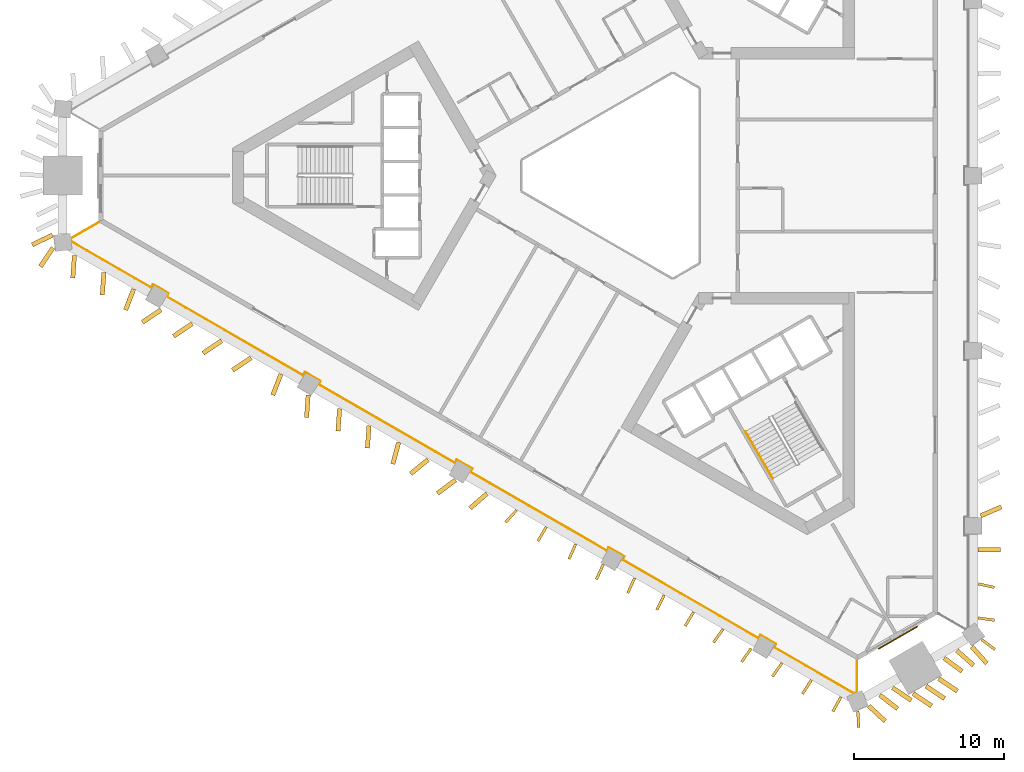
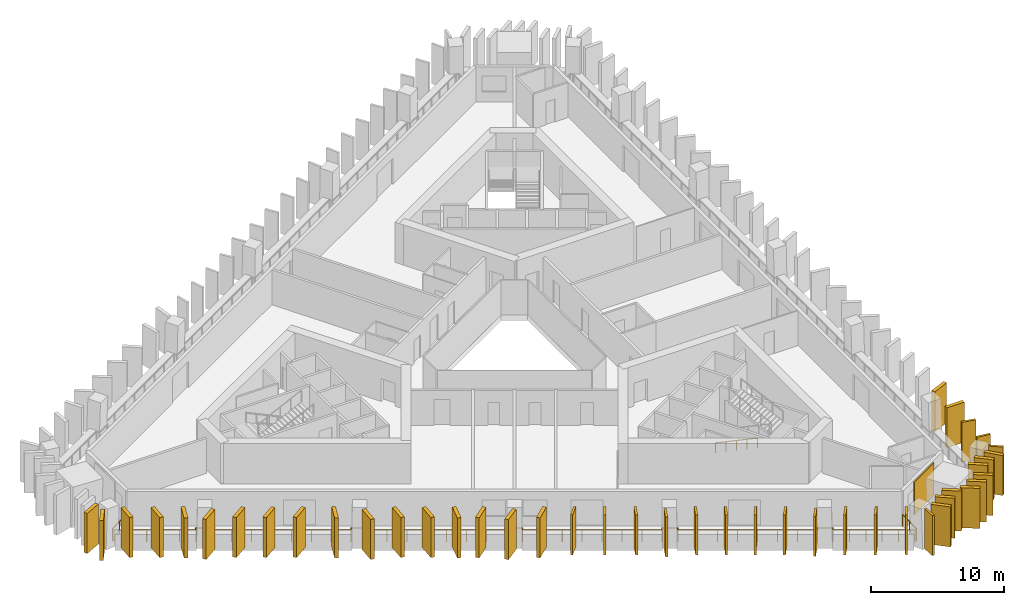
# One storey, part 8 of 11: 44 shading devices, 2 railings, 1 covering.
"""IFC4 building model written with IfcOpenShell, lengths in metres."""

from ifc_helpers import new_model, si_unit, direction, frame, frame_2d, origin, origin_2d, place, context, subcontext, project, spatial, rectangle, circle, extrude, material, layer, layer_set, type_object, element, save


model = new_model("IFC4")

# Units and contexts
model_context = context("Model", 3, precision=1e-05, world=origin(), true_north=direction((0.0, 1.0)))
body_context = subcontext(model_context, "Body", "Model", "MODEL_VIEW")
ifc_project = project(units=[si_unit("LENGTHUNIT", "METRE"), si_unit("AREAUNIT", "SQUARE_METRE"), si_unit("VOLUMEUNIT", "CUBIC_METRE"), si_unit("PLANEANGLEUNIT", "RADIAN"), si_unit("MASSUNIT", "GRAM", prefix="KILO")], contexts=[model_context])

# Site, building, storey
site_placement = place(None, origin())
site = spatial("IfcSite", under=ifc_project, at=site_placement, CompositionType="ELEMENT")
building_placement = place(site_placement, origin())
building = spatial("IfcBuilding", under=site, at=building_placement, Name="Jabali Bay Hotel Tower and Convention Centre", CompositionType="ELEMENT")
storey_placement = place(building_placement, frame((0.0, 0.0, 90.60009765625)))
storey = spatial("IfcBuildingStorey", under=building, at=storey_placement, Name="L21", CompositionType="ELEMENT", Elevation=90.60009765625)

# Railing
ifc_material_1 = material(Name="Glass", Category="glass")
railing_type_1 = type_object("IfcRailingType", Name="Loggia glass guard 1100", PredefinedType="BALUSTRADE", material=ifc_material_1)
railing_1_placement = place(storey_placement, frame((90.0595703125, 47.6611328125, 0.0)))
element("IfcRailing", 1, at=railing_1_placement, inside=storey, type_object=railing_type_1, Name="Loggia glass guard L21", PredefinedType="BALUSTRADE", context=body_context, shape_type="SweptSolid", body=[
    extrude(circle(Radius=0.02490234375, at=origin_2d()), frame((0.0, 0.0, 1.0751953125), z_axis=(0.0, -1.0, 0.0), x_axis=(0.991444861374, 0.0, 0.13052619222)), (0.0, 0.0, 1.0), 2.11083984375),
    extrude(circle(Radius=0.02490234375, at=origin_2d()), frame((0.0, -2.11083984375, 1.0751953125), z_axis=(-0.918850672614, -0.394605424996, 0.0), x_axis=(0.391229520883, -0.910989777733, 0.13052619222)), (0.0, 0.0, 1.0), 0.214599609375),
    extrude(circle(Radius=0.02490234375, at=origin_2d()), frame((-0.197265625, -2.195556640625, 1.0751953125), z_axis=(-0.866019012934, 0.500011069114, 0.0), x_axis=(-0.495733405103, -0.858610100226, 0.13052619222)), (0.0, 0.0, 1.0), 6.150634765625),
    extrude(circle(Radius=0.02490234375, at=origin_2d()), frame((-5.52392578125, 0.8798828125, 1.0751953125), z_axis=(0.499919672301, 0.866071776036, 0.0), x_axis=(-0.858662411932, 0.495642790202, 0.13052619222)), (0.0, 0.0, 1.0), 0.25),
    extrude(circle(Radius=0.02490234375, at=origin_2d()), frame((-5.39892578125, 1.096435546875, 1.0751953125), z_axis=(-0.866094119867, 0.499880961361, 0.0), x_axis=(-0.49560441044, -0.858684564609, 0.13052619222)), (0.0, 0.0, 1.0), 1.199951171875),
    extrude(circle(Radius=0.02490234375, at=origin_2d()), frame((-6.438232421875, 1.6962890625, 1.0751953125), z_axis=(-0.499919672301, -0.866071776036, 0.0), x_axis=(0.858662411932, -0.495642790202, 0.13052619222)), (0.0, 0.0, 1.0), 0.25),
    extrude(circle(Radius=0.02490234375, at=origin_2d()), frame((-6.563232421875, 1.479736328125, 1.0751953125), z_axis=(-0.866018215049, 0.500012451049, 0.0), x_axis=(-0.495734775215, -0.858609309166, 0.13052619222)), (0.0, 0.0, 1.0), 10.493896484375),
    extrude(circle(Radius=0.02490234375, at=origin_2d()), frame((-15.651123046875, 6.726806640625, 1.0751953125), z_axis=(0.500342721131, 0.865827443207, 0.0), x_axis=(-0.858420169404, 0.496062219791, 0.13052619222)), (0.0, 0.0, 1.0), 0.249755859375),
    extrude(circle(Radius=0.02490234375, at=origin_2d()), frame((-15.526123046875, 6.943115234375, 1.0751953125), z_axis=(-0.866006032174, 0.500033551112, 0.0), x_axis=(-0.495755694765, -0.858597230518, 0.13052619222)), (0.0, 0.0, 1.0), 1.2001953125),
    extrude(circle(Radius=0.02490234375, at=origin_2d()), frame((-16.5654296875, 7.543212890625, 1.0751953125), z_axis=(-0.499919672301, -0.866071776036, 0.0), x_axis=(0.858662411932, -0.495642790202, 0.13052619222)), (0.0, 0.0, 1.0), 0.25),
    extrude(circle(Radius=0.02490234375, at=origin_2d()), frame((-16.6904296875, 7.32666015625, 1.0751953125), z_axis=(-0.86602828922, 0.499995002246, 0.0), x_axis=(-0.49571747569, -0.858619297151, 0.13052619222)), (0.0, 0.0, 1.0), 10.49365234375),
    extrude(circle(Radius=0.02490234375, at=origin_2d()), frame((-25.7783203125, 12.573486328125, 1.0751953125), z_axis=(0.499919672301, 0.866071776036, 0.0), x_axis=(-0.858662411932, 0.495642790202, 0.13052619222)), (0.0, 0.0, 1.0), 0.25),
    extrude(circle(Radius=0.02490234375, at=origin_2d()), frame((-25.6533203125, 12.7900390625, 1.0751953125), z_axis=(-0.865955154139, 0.50012165622, 0.0), x_axis=(-0.495843046121, -0.858546787751, 0.13052619222)), (0.0, 0.0, 1.0), 1.199951171875),
    extrude(circle(Radius=0.02490234375, at=origin_2d()), frame((-26.6923828125, 13.39013671875, 1.0751953125), z_axis=(-0.499919672301, -0.866071776036, 0.0), x_axis=(0.858662411932, -0.495642790202, 0.13052619222)), (0.0, 0.0, 1.0), 0.25),
    extrude(circle(Radius=0.02490234375, at=origin_2d()), frame((-26.8173828125, 13.173583984375, 1.0751953125), z_axis=(-0.86602828922, 0.499995002246, 0.0), x_axis=(-0.49571747569, -0.858619297151, 0.13052619222)), (0.0, 0.0, 1.0), 10.49365234375),
    extrude(circle(Radius=0.02490234375, at=origin_2d()), frame((-35.9052734375, 18.42041015625, 1.0751953125), z_axis=(0.499919672301, 0.866071776036, 0.0), x_axis=(-0.858662411932, 0.495642790202, 0.13052619222)), (0.0, 0.0, 1.0), 0.25),
    extrude(circle(Radius=0.02490234375, at=origin_2d()), frame((-35.7802734375, 18.636962890625, 1.0751953125), z_axis=(-0.866006032174, 0.500033551112, 0.0), x_axis=(-0.495755694765, -0.858597230518, 0.13052619222)), (0.0, 0.0, 1.0), 1.2001953125),
    extrude(circle(Radius=0.02490234375, at=origin_2d()), frame((-36.819580078125, 19.237060546875, 1.0751953125), z_axis=(-0.499919672301, -0.866071776036, 0.0), x_axis=(0.858662411932, -0.495642790202, 0.13052619222)), (0.0, 0.0, 1.0), 0.25),
    extrude(circle(Radius=0.02490234375, at=origin_2d()), frame((-36.944580078125, 19.0205078125, 1.0751953125), z_axis=(-0.86602828922, 0.499995002246, 0.0), x_axis=(-0.49571747569, -0.858619297151, 0.13052619222)), (0.0, 0.0, 1.0), 10.49365234375),
    extrude(circle(Radius=0.02490234375, at=origin_2d()), frame((-46.032470703125, 24.267333984375, 1.0751953125), z_axis=(0.499919672301, 0.866071776036, 0.0), x_axis=(-0.858662411932, 0.495642790202, 0.13052619222)), (0.0, 0.0, 1.0), 0.25),
    extrude(circle(Radius=0.02490234375, at=origin_2d()), frame((-45.907470703125, 24.48388671875, 1.0751953125), z_axis=(-0.866006032174, 0.500033551112, 0.0), x_axis=(-0.495755694765, -0.858597230518, 0.13052619222)), (0.0, 0.0, 1.0), 1.2001953125),
    extrude(circle(Radius=0.02490234375, at=origin_2d()), frame((-46.94677734375, 25.083984375, 1.0751953125), z_axis=(-0.499919672301, -0.866071776036, 0.0), x_axis=(0.858662411932, -0.495642790202, 0.13052619222)), (0.0, 0.0, 1.0), 0.25),
    extrude(circle(Radius=0.02490234375, at=origin_2d()), frame((-47.07177734375, 24.867431640625, 1.0751953125), z_axis=(-0.866019012934, 0.500011069114, 0.0), x_axis=(-0.495733405103, -0.858610100226, 0.13052619222)), (0.0, 0.0, 1.0), 6.150634765625),
    extrude(circle(Radius=0.02490234375, at=origin_2d()), frame((-52.3984375, 27.94287109375, 1.0751953125), z_axis=(-0.117171257249, 0.993111724065, 0.0), x_axis=(-0.984615515594, -0.116168840901, 0.13052619222)), (0.0, 0.0, 1.0), 0.214599609375),
    extrude(circle(Radius=0.02490234375, at=origin_2d()), frame((-52.423583984375, 28.156005859375, 1.0751953125), z_axis=(0.866006443985, 0.500032837899, 0.0), x_axis=(-0.495754987653, 0.858597638805, 0.13052619222)), (0.0, 0.0, 1.0), 2.110595703125),
    extrude(circle(Radius=0.02001953125, at=origin_2d()), origin(), (0.0, 0.0, 1.0), 1.050048828125),
    extrude(circle(Radius=0.02001953125, at=origin_2d()), frame((0.0, -1.055419921875, 0.0)), (0.0, 0.0, 1.0), 1.050048828125),
    extrude(circle(Radius=0.02001953125, at=origin_2d()), frame((0.0, -2.11083984375, 0.0)), (0.0, 0.0, 1.0), 1.050048828125),
    extrude(circle(Radius=0.02001953125, at=origin_2d()), frame((-0.197265625, -2.195556640625, 0.0)), (0.0, 0.0, 1.0), 1.050048828125),
    extrude(circle(Radius=0.02001953125, at=origin_2d()), frame((-1.2626953125, -1.58056640625, 0.0)), (0.0, 0.0, 1.0), 1.050048828125),
    extrude(circle(Radius=0.02001953125, at=origin_2d()), frame((-2.327880859375, -0.96533203125, 0.0)), (0.0, 0.0, 1.0), 1.050048828125),
    extrude(circle(Radius=0.02001953125, at=origin_2d()), frame((-3.393310546875, -0.350341796875, 0.0)), (0.0, 0.0, 1.0), 1.050048828125),
    extrude(circle(Radius=0.02001953125, at=origin_2d()), frame((-4.45849609375, 0.264892578125, 0.0)), (0.0, 0.0, 1.0), 1.050048828125),
    extrude(circle(Radius=0.02001953125, at=origin_2d()), frame((-5.52392578125, 0.8798828125, 0.0)), (0.0, 0.0, 1.0), 1.050048828125),
    extrude(circle(Radius=0.02001953125, at=origin_2d()), frame((-5.39892578125, 1.096435546875, 0.0)), (0.0, 0.0, 1.0), 1.050048828125),
    extrude(circle(Radius=0.02001953125, at=origin_2d()), frame((-6.438232421875, 1.6962890625, 0.0)), (0.0, 0.0, 1.0), 1.050048828125),
    extrude(circle(Radius=0.02001953125, at=origin_2d()), frame((-6.563232421875, 1.479736328125, 0.0)), (0.0, 0.0, 1.0), 1.050048828125),
    extrude(circle(Radius=0.02001953125, at=origin_2d()), frame((-7.861572265625, 2.229248046875, 0.0)), (0.0, 0.0, 1.0), 1.050048828125),
    extrude(circle(Radius=0.02001953125, at=origin_2d()), frame((-9.15966796875, 2.97900390625, 0.0)), (0.0, 0.0, 1.0), 1.050048828125),
    extrude(circle(Radius=0.02001953125, at=origin_2d()), frame((-10.4580078125, 3.728515625, 0.0)), (0.0, 0.0, 1.0), 1.050048828125),
    extrude(circle(Radius=0.02001953125, at=origin_2d()), frame((-11.75634765625, 4.47802734375, 0.0)), (0.0, 0.0, 1.0), 1.050048828125),
    extrude(circle(Radius=0.02001953125, at=origin_2d()), frame((-13.0546875, 5.2275390625, 0.0)), (0.0, 0.0, 1.0), 1.050048828125),
    extrude(circle(Radius=0.02001953125, at=origin_2d()), frame((-14.352783203125, 5.977294921875, 0.0)), (0.0, 0.0, 1.0), 1.050048828125),
    extrude(circle(Radius=0.02001953125, at=origin_2d()), frame((-15.651123046875, 6.726806640625, 0.0)), (0.0, 0.0, 1.0), 1.050048828125),
    extrude(circle(Radius=0.02001953125, at=origin_2d()), frame((-15.526123046875, 6.943115234375, 0.0)), (0.0, 0.0, 1.0), 1.050048828125),
    extrude(circle(Radius=0.02001953125, at=origin_2d()), frame((-16.5654296875, 7.543212890625, 0.0)), (0.0, 0.0, 1.0), 1.050048828125),
    extrude(circle(Radius=0.02001953125, at=origin_2d()), frame((-16.6904296875, 7.32666015625, 0.0)), (0.0, 0.0, 1.0), 1.050048828125),
    extrude(circle(Radius=0.02001953125, at=origin_2d()), frame((-17.98876953125, 8.076171875, 0.0)), (0.0, 0.0, 1.0), 1.050048828125),
    extrude(circle(Radius=0.02001953125, at=origin_2d()), frame((-19.286865234375, 8.82568359375, 0.0)), (0.0, 0.0, 1.0), 1.050048828125),
    extrude(circle(Radius=0.02001953125, at=origin_2d()), frame((-20.585205078125, 9.5751953125, 0.0)), (0.0, 0.0, 1.0), 1.050048828125),
    extrude(circle(Radius=0.02001953125, at=origin_2d()), frame((-21.883544921875, 10.324951171875, 0.0)), (0.0, 0.0, 1.0), 1.050048828125),
    extrude(circle(Radius=0.02001953125, at=origin_2d()), frame((-23.181884765625, 11.074462890625, 0.0)), (0.0, 0.0, 1.0), 1.050048828125),
    extrude(circle(Radius=0.02001953125, at=origin_2d()), frame((-24.47998046875, 11.823974609375, 0.0)), (0.0, 0.0, 1.0), 1.050048828125),
    extrude(circle(Radius=0.02001953125, at=origin_2d()), frame((-25.7783203125, 12.573486328125, 0.0)), (0.0, 0.0, 1.0), 1.050048828125),
    extrude(circle(Radius=0.02001953125, at=origin_2d()), frame((-25.6533203125, 12.7900390625, 0.0)), (0.0, 0.0, 1.0), 1.050048828125),
    extrude(circle(Radius=0.02001953125, at=origin_2d()), frame((-26.6923828125, 13.39013671875, 0.0)), (0.0, 0.0, 1.0), 1.050048828125),
    extrude(circle(Radius=0.02001953125, at=origin_2d()), frame((-26.8173828125, 13.173583984375, 0.0)), (0.0, 0.0, 1.0), 1.050048828125),
    extrude(circle(Radius=0.02001953125, at=origin_2d()), frame((-28.11572265625, 13.923095703125, 0.0)), (0.0, 0.0, 1.0), 1.050048828125),
    extrude(circle(Radius=0.02001953125, at=origin_2d()), frame((-29.413818359375, 14.672607421875, 0.0)), (0.0, 0.0, 1.0), 1.050048828125),
    extrude(circle(Radius=0.02001953125, at=origin_2d()), frame((-30.712158203125, 15.422119140625, 0.0)), (0.0, 0.0, 1.0), 1.050048828125),
    extrude(circle(Radius=0.02001953125, at=origin_2d()), frame((-32.010498046875, 16.171875, 0.0)), (0.0, 0.0, 1.0), 1.050048828125),
    extrude(circle(Radius=0.02001953125, at=origin_2d()), frame((-33.308837890625, 16.92138671875, 0.0)), (0.0, 0.0, 1.0), 1.050048828125),
    extrude(circle(Radius=0.02001953125, at=origin_2d()), frame((-34.60693359375, 17.6708984375, 0.0)), (0.0, 0.0, 1.0), 1.050048828125),
    extrude(circle(Radius=0.02001953125, at=origin_2d()), frame((-35.9052734375, 18.42041015625, 0.0)), (0.0, 0.0, 1.0), 1.050048828125),
    extrude(circle(Radius=0.02001953125, at=origin_2d()), frame((-35.7802734375, 18.636962890625, 0.0)), (0.0, 0.0, 1.0), 1.050048828125),
    extrude(circle(Radius=0.02001953125, at=origin_2d()), frame((-36.819580078125, 19.237060546875, 0.0)), (0.0, 0.0, 1.0), 1.050048828125),
    extrude(circle(Radius=0.02001953125, at=origin_2d()), frame((-36.944580078125, 19.0205078125, 0.0)), (0.0, 0.0, 1.0), 1.050048828125),
    extrude(circle(Radius=0.02001953125, at=origin_2d()), frame((-38.242919921875, 19.77001953125, 0.0)), (0.0, 0.0, 1.0), 1.050048828125),
    extrude(circle(Radius=0.02001953125, at=origin_2d()), frame((-39.541015625, 20.51953125, 0.0)), (0.0, 0.0, 1.0), 1.050048828125),
    extrude(circle(Radius=0.02001953125, at=origin_2d()), frame((-40.83935546875, 21.26904296875, 0.0)), (0.0, 0.0, 1.0), 1.050048828125),
    extrude(circle(Radius=0.02001953125, at=origin_2d()), frame((-42.1376953125, 22.018798828125, 0.0)), (0.0, 0.0, 1.0), 1.050048828125),
    extrude(circle(Radius=0.02001953125, at=origin_2d()), frame((-43.43603515625, 22.768310546875, 0.0)), (0.0, 0.0, 1.0), 1.050048828125),
    extrude(circle(Radius=0.02001953125, at=origin_2d()), frame((-44.734130859375, 23.517822265625, 0.0)), (0.0, 0.0, 1.0), 1.050048828125),
    extrude(circle(Radius=0.02001953125, at=origin_2d()), frame((-46.032470703125, 24.267333984375, 0.0)), (0.0, 0.0, 1.0), 1.050048828125),
    extrude(circle(Radius=0.02001953125, at=origin_2d()), frame((-45.907470703125, 24.48388671875, 0.0)), (0.0, 0.0, 1.0), 1.050048828125),
    extrude(circle(Radius=0.02001953125, at=origin_2d()), frame((-46.94677734375, 25.083984375, 0.0)), (0.0, 0.0, 1.0), 1.050048828125),
    extrude(circle(Radius=0.02001953125, at=origin_2d()), frame((-47.07177734375, 24.867431640625, 0.0)), (0.0, 0.0, 1.0), 1.050048828125),
    extrude(circle(Radius=0.02001953125, at=origin_2d()), frame((-48.13720703125, 25.482421875, 0.0)), (0.0, 0.0, 1.0), 1.050048828125),
    extrude(circle(Radius=0.02001953125, at=origin_2d()), frame((-49.202392578125, 26.09765625, 0.0)), (0.0, 0.0, 1.0), 1.050048828125),
    extrude(circle(Radius=0.02001953125, at=origin_2d()), frame((-50.267822265625, 26.712646484375, 0.0)), (0.0, 0.0, 1.0), 1.050048828125),
    extrude(circle(Radius=0.02001953125, at=origin_2d()), frame((-51.3330078125, 27.327880859375, 0.0)), (0.0, 0.0, 1.0), 1.050048828125),
    extrude(circle(Radius=0.02001953125, at=origin_2d()), frame((-52.3984375, 27.94287109375, 0.0)), (0.0, 0.0, 1.0), 1.050048828125),
    extrude(circle(Radius=0.02001953125, at=origin_2d()), frame((-52.423583984375, 28.156005859375, 0.0)), (0.0, 0.0, 1.0), 1.050048828125),
    extrude(circle(Radius=0.02001953125, at=origin_2d()), frame((-51.509765625, 28.68359375, 0.0)), (0.0, 0.0, 1.0), 1.050048828125),
    extrude(circle(Radius=0.02001953125, at=origin_2d()), frame((-50.595703125, 29.21142578125, 0.0)), (0.0, 0.0, 1.0), 1.050048828125),
])

# Shading devices
ifc_material_2 = material(Name="Precast concrete C60", Category="concrete")
ifc_layer_1 = layer(ifc_material_2, 0.179931640625)
ifc_layer_set_1 = layer_set([ifc_layer_1], Name="Precast concrete C60")
shading_device_type_1 = type_object("IfcShadingDeviceType", Name="Precast fin 3680 x 1100", PredefinedType="USERDEFINED", material=ifc_layer_set_1)
for number, where, z_axis, x_axis, name in (
    (2, (98.131591796875, 50.50830078125, 0.010009765625), (0.0, 0.0, 1.0), (0.990051325747, -0.140706689201, 0.0), "Fin L21 000"),
    (3, (98.138427734375, 52.77685546875, 0.010009765625), (0.0, 0.0, 1.0), (0.976551228113, -0.215285157107, 0.0), "Fin L21 001"),
    (4, (67.360107421875, 57.69287109375, 0.010009765625), (0.0, 0.0, 1.0), (-0.675583914925, -0.73728310295, 0.0), "Fin L21 087"),
    (5, (69.333984375, 56.57470703125, 0.010009765625), (0.0, 0.0, 1.0), (-0.509723312204, -0.860338389819, 0.0), "Fin L21 088"),
):
    element("IfcShadingDevice", number, at=place(storey_placement, frame(where, z_axis=z_axis, x_axis=x_axis)), inside=storey, type_object=shading_device_type_1, Name=name, ObjectType="FIN", PredefinedType="USERDEFINED", context=body_context, shape_type="SweptSolid", body=[
        extrude(rectangle(XDim=1.10009765625, YDim=0.179931640625, at=frame_2d((0.550048828125, 0.0))), origin(), (0.0, 0.0, 1.0), 3.679931640625),
    ])
shading_device_1_placement = place(storey_placement, frame((71.294189453125, 55.4326171875, 0.010009765625), z_axis=(0.0, 0.0, 1.0), x_axis=(-0.402448473635, -0.91544263942, 0.0)))
element("IfcShadingDevice", 6, at=shading_device_1_placement, inside=storey, type_object=shading_device_type_1, Name="Fin L21 089", ObjectType="FIN", PredefinedType="USERDEFINED", context=body_context, shape_type="SweptSolid", body=[
    extrude(rectangle(XDim=1.099853515625, YDim=0.179931640625, at=frame_2d((0.5498046875, 0.0))), origin(), (0.0, 0.0, 1.0), 3.679931640625),
])
for number, where, z_axis, x_axis, name in (
    (7, (73.130615234375, 54.076416015625, 0.010009765625), (0.0, 0.0, 1.0), (-0.41279942442, -0.910821955817, 0.0), "Fin L21 090"),
    (8, (75.22412109375, 53.165283203125, 0.010009765625), (0.0, 0.0, 1.0), (-0.416593570775, -0.909092842777, 0.0), "Fin L21 091"),
    (9, (77.189697265625, 52.03271484375, 0.010009765625), (0.0, 0.0, 1.0), (-0.435009729849, -0.90042575204, 0.0), "Fin L21 092"),
):
    element("IfcShadingDevice", number, at=place(storey_placement, frame(where, z_axis=z_axis, x_axis=x_axis)), inside=storey, type_object=shading_device_type_1, Name=name, ObjectType="FIN", PredefinedType="USERDEFINED", context=body_context, shape_type="SweptSolid", body=[
        extrude(rectangle(XDim=1.10009765625, YDim=0.179931640625, at=frame_2d((0.550048828125, 0.0))), origin(), (0.0, 0.0, 1.0), 3.679931640625),
    ])
shading_device_2_placement = place(storey_placement, frame((79.156982421875, 50.90283203125, 0.010009765625), z_axis=(0.0, 0.0, 1.0), x_axis=(-0.513418138899, -0.858138575435, 0.0)))
element("IfcShadingDevice", 10, at=shading_device_2_placement, inside=storey, type_object=shading_device_type_1, Name="Fin L21 093", ObjectType="FIN", PredefinedType="USERDEFINED", context=body_context, shape_type="SweptSolid", body=[
    extrude(rectangle(XDim=1.099853515625, YDim=0.179931640625, at=frame_2d((0.5498046875, 0.0))), origin(), (0.0, 0.0, 1.0), 3.679931640625),
])
shading_device_3_placement = place(storey_placement, frame((81.118408203125, 49.7626953125, 0.010009765625), z_axis=(0.0, 0.0, 1.0), x_axis=(-0.575724287065, -0.817643898823, 0.0)))
element("IfcShadingDevice", 11, at=shading_device_3_placement, inside=storey, type_object=shading_device_type_1, Name="Fin L21 094", ObjectType="FIN", PredefinedType="USERDEFINED", context=body_context, shape_type="SweptSolid", body=[
    extrude(rectangle(XDim=1.10009765625, YDim=0.179931640625, at=frame_2d((0.550048828125, 0.0))), origin(), (0.0, 0.0, 1.0), 3.679931640625),
])
shading_device_4_placement = place(storey_placement, frame((82.99169921875, 48.470458984375, 0.010009765625), z_axis=(0.0, 0.0, 1.0), x_axis=(-0.576630912148, -0.817004768135, 0.0)))
element("IfcShadingDevice", 12, at=shading_device_4_placement, inside=storey, type_object=shading_device_type_1, Name="Fin L21 095", ObjectType="FIN", PredefinedType="USERDEFINED", context=body_context, shape_type="SweptSolid", body=[
    extrude(rectangle(XDim=1.099853515625, YDim=0.179931640625, at=frame_2d((0.5498046875, 0.0))), origin(), (0.0, 0.0, 1.0), 3.679931640625),
])
shading_device_5_placement = place(storey_placement, frame((85.047607421875, 47.494140625, 0.010009765625), z_axis=(0.0, 0.0, 1.0), x_axis=(-0.576779035858, -0.816900204306, 0.0)))
element("IfcShadingDevice", 13, at=shading_device_5_placement, inside=storey, type_object=shading_device_type_1, Name="Fin L21 096", ObjectType="FIN", PredefinedType="USERDEFINED", context=body_context, shape_type="SweptSolid", body=[
    extrude(rectangle(XDim=1.10009765625, YDim=0.179931640625, at=frame_2d((0.550048828125, 0.0))), origin(), (0.0, 0.0, 1.0), 3.679931640625),
])
for number, where, z_axis, x_axis, name in (
    (14, (87.013916015625, 46.36279296875, 0.010009765625), (0.0, 0.0, 1.0), (-0.544465529191, -0.838783218432, 0.0), "Fin L21 097"),
    (15, (88.980224609375, 45.231201171875, 0.010009765625), (0.0, 0.0, 1.0), (-0.486114023104, -0.873895392219, 0.0), "Fin L21 098"),
):
    element("IfcShadingDevice", number, at=place(storey_placement, frame(where, z_axis=z_axis, x_axis=x_axis)), inside=storey, type_object=shading_device_type_1, Name=name, ObjectType="FIN", PredefinedType="USERDEFINED", context=body_context, shape_type="SweptSolid", body=[
        extrude(rectangle(XDim=1.099853515625, YDim=0.179931640625, at=frame_2d((0.5498046875, 0.0))), origin(), (0.0, 0.0, 1.0), 3.679931640625),
    ])
for number, where, z_axis, x_axis, name in (
    (16, (98.36865234375, 49.06103515625, 0.010009765625), (0.0, 0.0, 1.0), (0.799120353642, -0.60117107415, 0.0), "Fin L21 108"),
    (17, (90.109619140625, 44.285888671875, 0.010009765625), (0.0, 0.0, 1.0), (0.047491342594, -0.998871649602, 0.0), "Fin L21 113"),
):
    element("IfcShadingDevice", number, at=place(storey_placement, frame(where, z_axis=z_axis, x_axis=x_axis)), inside=storey, type_object=shading_device_type_1, Name=name, ObjectType="FIN", PredefinedType="USERDEFINED", context=body_context, shape_type="SweptSolid", body=[
        extrude(rectangle(XDim=1.10009765625, YDim=0.179931640625, at=frame_2d((0.550048828125, 0.0))), origin(), (0.0, 0.0, 1.0), 3.679931640625),
    ])
ifc_layer_2 = layer(ifc_material_2, 0.300048828125)
ifc_layer_set_2 = layer_set([ifc_layer_2], Name="Precast concrete C60")
shading_device_type_2 = type_object("IfcShadingDeviceType", Name="Precast fin 3680 x 1500", PredefinedType="USERDEFINED", material=ifc_layer_set_2)
for number, where, z_axis, x_axis, name in (
    (18, (98.119140625, 55.045654296875, 0.010009765625), (0.0, 0.0, 1.0), (0.999999152291, 0.00130208223, 0.0), "Fin L21 002"),
    (19, (98.3037109375, 57.314208984375, 0.010009765625), (0.0, 0.0, 1.0), (0.917767272696, 0.397118663837, 0.0), "Fin L21 003"),
    (20, (36.402587890625, 76.03955078125, 0.010009765625), (0.0, 0.0, 1.0), (-0.899129499022, -0.43768269784, 0.0), "Fin L21 071"),
    (21, (37.8671875, 74.66748046875, 0.010009765625), (0.0, 0.0, 1.0), (-0.070472092405, -0.99751375138, 0.0), "Fin L21 072"),
):
    element("IfcShadingDevice", number, at=place(storey_placement, frame(where, z_axis=z_axis, x_axis=x_axis)), inside=storey, type_object=shading_device_type_2, Name=name, ObjectType="FIN", PredefinedType="USERDEFINED", context=body_context, shape_type="SweptSolid", body=[
        extrude(rectangle(XDim=1.5, YDim=0.300048828125, at=frame_2d((0.75, 0.0))), origin(), (0.0, 0.0, 1.0), 3.679931640625),
    ])
shading_device_6_placement = place(storey_placement, frame((39.831787109375, 73.532958984375, 0.010009765625), z_axis=(0.0, 0.0, 1.0), x_axis=(-0.070483535293, -0.9975129429, 0.0)))
element("IfcShadingDevice", 22, at=shading_device_6_placement, inside=storey, type_object=shading_device_type_2, Name="Fin L21 073", ObjectType="FIN", PredefinedType="USERDEFINED", context=body_context, shape_type="SweptSolid", body=[
    extrude(rectangle(XDim=1.499755859375, YDim=0.300048828125, at=frame_2d((0.75, 0.0))), origin(), (0.0, 0.0, 1.0), 3.679931640625),
])
for number, where, z_axis, x_axis, name in (
    (23, (41.817626953125, 72.435302734375, 0.010009765625), (0.0, 0.0, 1.0), (-0.358728210974, -0.933442055326, 0.0), "Fin L21 074"),
    (24, (43.640380859375, 71.05517578125, 0.010009765625), (0.0, 0.0, 1.0), (-0.828578765843, -0.559872511196, 0.0), "Fin L21 075"),
    (25, (45.725830078125, 70.130126953125, 0.010009765625), (0.0, 0.0, 1.0), (-0.828654266351, -0.55976075859, 0.0), "Fin L21 076"),
    (26, (47.6904296875, 68.995849609375, 0.010009765625), (0.0, 0.0, 1.0), (-0.828578765843, -0.559872511196, 0.0), "Fin L21 077"),
):
    element("IfcShadingDevice", number, at=place(storey_placement, frame(where, z_axis=z_axis, x_axis=x_axis)), inside=storey, type_object=shading_device_type_2, Name=name, ObjectType="FIN", PredefinedType="USERDEFINED", context=body_context, shape_type="SweptSolid", body=[
        extrude(rectangle(XDim=1.5, YDim=0.300048828125, at=frame_2d((0.75, 0.0))), origin(), (0.0, 0.0, 1.0), 3.679931640625),
    ])
for number, where, z_axis, x_axis, name in (
    (27, (49.655029296875, 67.861572265625, 0.010009765625), (0.0, 0.0, 1.0), (-0.828527739218, -0.559948020218, 0.0), "Fin L21 078"),
    (28, (51.641357421875, 66.7646484375, 0.010009765625), (0.0, 0.0, 1.0), (-0.365123491722, -0.930959094586, 0.0), "Fin L21 079"),
):
    element("IfcShadingDevice", number, at=place(storey_placement, frame(where, z_axis=z_axis, x_axis=x_axis)), inside=storey, type_object=shading_device_type_2, Name=name, ObjectType="FIN", PredefinedType="USERDEFINED", context=body_context, shape_type="SweptSolid", body=[
        extrude(rectangle(XDim=1.499755859375, YDim=0.300048828125, at=frame_2d((0.75, 0.0))), origin(), (0.0, 0.0, 1.0), 3.679931640625),
    ])
for number, where, z_axis, x_axis, name in (
    (29, (53.45556640625, 65.3701171875, 0.010009765625), (0.0, 0.0, 1.0), (-0.070472092405, -0.99751375138, 0.0), "Fin L21 080"),
    (30, (55.549072265625, 64.458740234375, 0.010009765625), (0.0, 0.0, 1.0), (-0.070795970877, -0.997490817255, 0.0), "Fin L21 081"),
    (31, (57.513916015625, 63.324462890625, 0.010009765625), (0.0, 0.0, 1.0), (-0.071455259592, -0.997443805874, 0.0), "Fin L21 082"),
):
    element("IfcShadingDevice", number, at=place(storey_placement, frame(where, z_axis=z_axis, x_axis=x_axis)), inside=storey, type_object=shading_device_type_2, Name=name, ObjectType="FIN", PredefinedType="USERDEFINED", context=body_context, shape_type="SweptSolid", body=[
        extrude(rectangle(XDim=1.5, YDim=0.300048828125, at=frame_2d((0.75, 0.0))), origin(), (0.0, 0.0, 1.0), 3.679931640625),
    ])
shading_device_7_placement = place(storey_placement, frame((59.491943359375, 62.213623046875, 0.010009765625), z_axis=(0.0, 0.0, 1.0), x_axis=(-0.261257499959, -0.965269143149, 0.0)))
element("IfcShadingDevice", 32, at=shading_device_7_placement, inside=storey, type_object=shading_device_type_2, Name="Fin L21 083", ObjectType="FIN", PredefinedType="USERDEFINED", context=body_context, shape_type="SweptSolid", body=[
    extrude(rectangle(XDim=1.499755859375, YDim=0.300048828125, at=frame_2d((0.75, 0.0))), origin(), (0.0, 0.0, 1.0), 3.679931640625),
])
for number, where, z_axis, x_axis, name in (
    (33, (61.449462890625, 61.06689453125, 0.010009765625), (0.0, 0.0, 1.0), (-0.772962845996, -0.63445128947, 0.0), "Fin L21 084"),
    (34, (63.281982421875, 59.703857421875, 0.010009765625), (0.0, 0.0, 1.0), (-0.803075415536, -0.595877400948, 0.0), "Fin L21 085"),
):
    element("IfcShadingDevice", number, at=place(storey_placement, frame(where, z_axis=z_axis, x_axis=x_axis)), inside=storey, type_object=shading_device_type_2, Name=name, ObjectType="FIN", PredefinedType="USERDEFINED", context=body_context, shape_type="SweptSolid", body=[
        extrude(rectangle(XDim=1.5, YDim=0.300048828125, at=frame_2d((0.75, 0.0))), origin(), (0.0, 0.0, 1.0), 3.679931640625),
    ])
shading_device_8_placement = place(storey_placement, frame((65.380859375, 58.802001953125, 0.010009765625), z_axis=(0.0, 0.0, 1.0), x_axis=(-0.753191479976, -0.657801333604, 0.0)))
element("IfcShadingDevice", 35, at=shading_device_8_placement, inside=storey, type_object=shading_device_type_2, Name="Fin L21 086", ObjectType="FIN", PredefinedType="USERDEFINED", context=body_context, shape_type="SweptSolid", body=[
    extrude(rectangle(XDim=1.499755859375, YDim=0.300048828125, at=frame_2d((0.75, 0.0))), origin(), (0.0, 0.0, 1.0), 3.679931640625),
])
for number, where, z_axis, x_axis, name in (
    (36, (90.84130859375, 44.641357421875, 0.010009765625), (0.0, 0.0, 1.0), (0.729603180017, -0.68387074781, 0.0), "Fin L21 099"),
    (37, (91.56787109375, 45.363037109375, 0.010009765625), (0.0, 0.0, 1.0), (0.794399407862, -0.607395736558, 0.0), "Fin L21 100"),
    (38, (92.429443359375, 45.85107421875, 0.010009765625), (0.0, 0.0, 1.0), (0.828578765843, -0.559872511196, 0.0), "Fin L21 101"),
    (39, (93.79296875, 45.46923828125, 0.010009765625), (0.0, 0.0, 1.0), (0.828654266351, -0.55976075859, 0.0), "Fin L21 102"),
    (40, (94.650390625, 45.96435546875, 0.010009765625), (0.0, 0.0, 1.0), (0.828654266351, -0.55976075859, 0.0), "Fin L21 103"),
    (41, (95.5078125, 46.45947265625, 0.010009765625), (0.0, 0.0, 1.0), (0.828578765843, -0.559872511196, 0.0), "Fin L21 104"),
):
    element("IfcShadingDevice", number, at=place(storey_placement, frame(where, z_axis=z_axis, x_axis=x_axis)), inside=storey, type_object=shading_device_type_2, Name=name, ObjectType="FIN", PredefinedType="USERDEFINED", context=body_context, shape_type="SweptSolid", body=[
        extrude(rectangle(XDim=1.5, YDim=0.300048828125, at=frame_2d((0.75, 0.0))), origin(), (0.0, 0.0, 1.0), 3.679931640625),
    ])
shading_device_9_placement = place(storey_placement, frame((95.85595703125, 47.836669921875, 0.010009765625), z_axis=(0.0, 0.0, 1.0), x_axis=(0.802434368249, -0.596740382958, 0.0)))
element("IfcShadingDevice", 42, at=shading_device_9_placement, inside=storey, type_object=shading_device_type_2, Name="Fin L21 105", ObjectType="FIN", PredefinedType="USERDEFINED", context=body_context, shape_type="SweptSolid", body=[
    extrude(rectangle(XDim=1.500244140625, YDim=0.300048828125, at=frame_2d((0.75, 0.0))), origin(), (0.0, 0.0, 1.0), 3.679931640625),
])
for number, where, z_axis, x_axis, name in (
    (43, (96.707275390625, 48.34228515625, 0.010009765625), (0.0, 0.0, 1.0), (0.746627504267, -0.665242339206, 0.0), "Fin L21 106"),
    (44, (97.710693359375, 48.584716796875, 0.010009765625), (0.0, 0.0, 1.0), (0.67013298599, -0.742241053222, 0.0), "Fin L21 107"),
    (45, (36.4384765625, 75.18359375, 0.010009765625), (0.0, 0.0, 1.0), (-0.559872511196, -0.828578765843, 0.0), "Fin L21 112"),
):
    element("IfcShadingDevice", number, at=place(storey_placement, frame(where, z_axis=z_axis, x_axis=x_axis)), inside=storey, type_object=shading_device_type_2, Name=name, ObjectType="FIN", PredefinedType="USERDEFINED", context=body_context, shape_type="SweptSolid", body=[
        extrude(rectangle(XDim=1.5, YDim=0.300048828125, at=frame_2d((0.75, 0.0))), origin(), (0.0, 0.0, 1.0), 3.679931640625),
    ])

# Covering
ifc_material_3 = material(Name="Precast concrete C40/50", Category="concrete")
ifc_layer_3 = layer(ifc_material_3, 0.080078125)
ifc_layer_set_3 = layer_set([ifc_layer_3], Name="Precast concrete C40/50")
covering_type = type_object("IfcCoveringType", Name="Relief panel 3000 x 3000", PredefinedType="CLADDING", material=ifc_layer_set_3)
covering_placement = place(storey_placement, frame((92.7880859375, 49.190185546875, 0.099853515625), z_axis=(0.0, 0.0, 1.0), x_axis=(-0.866025408855, -0.499999991218, 0.0)))
element("IfcCovering", 46, at=covering_placement, inside=storey, type_object=covering_type, Name="Relief panel L21", PredefinedType="CLADDING", context=body_context, shape_type="SweptSolid", body=[
    extrude(rectangle(XDim=3.0, YDim=0.080078125, at=origin_2d()), origin(), (0.0, 0.0, 1.0), 3.0),
])

# Railing
ifc_material_4 = material(Name="Steel Q355B", Category="steel")
railing_type_2 = type_object("IfcRailingType", Name="Stair handrail 900", PredefinedType="HANDRAIL", material=ifc_material_4)
railing_2_placement = place(storey_placement, frame((82.622802734375, 62.94677734375, 0.132080078125)))
element("IfcRailing", 47, at=railing_2_placement, inside=storey, type_object=railing_type_2, Name="L21 ST3 stair handrail 1", PredefinedType="HANDRAIL", context=body_context, shape_type="SweptSolid", body=[
    extrude(circle(Radius=0.02392578125, at=origin_2d()), frame((0.0, 0.0, 0.8759765625), z_axis=(0.452190331055, -0.783190014029, 0.426775475427), x_axis=(0.866018046521, 0.500012742938, 0.0)), (0.0, 0.0, 1.0), 4.02490234375),
    extrude(circle(Radius=0.02099609375, at=origin_2d()), origin(), (0.0, 0.0, 1.0), 0.851806640625),
    extrude(circle(Radius=0.02099609375, at=origin_2d()), frame((0.455078125, -0.7880859375, 0.429443359375)), (0.0, 0.0, 1.0), 0.851806640625),
    extrude(circle(Radius=0.02099609375, at=origin_2d()), frame((0.91015625, -1.576171875, 0.85888671875)), (0.0, 0.0, 1.0), 0.851806640625),
    extrude(circle(Radius=0.02099609375, at=origin_2d()), frame((1.364990234375, -2.3642578125, 1.288330078125)), (0.0, 0.0, 1.0), 0.851806640625),
    extrude(circle(Radius=0.02099609375, at=origin_2d()), frame((1.820068359375, -3.15234375, 1.7177734375)), (0.0, 0.0, 1.0), 0.851806640625),
])

save(model, "model.ifc")
